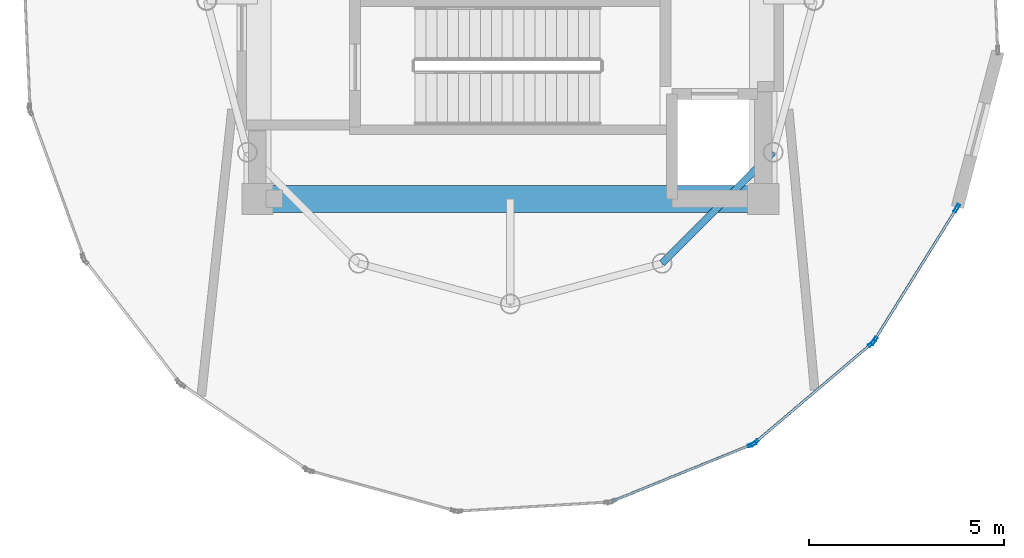
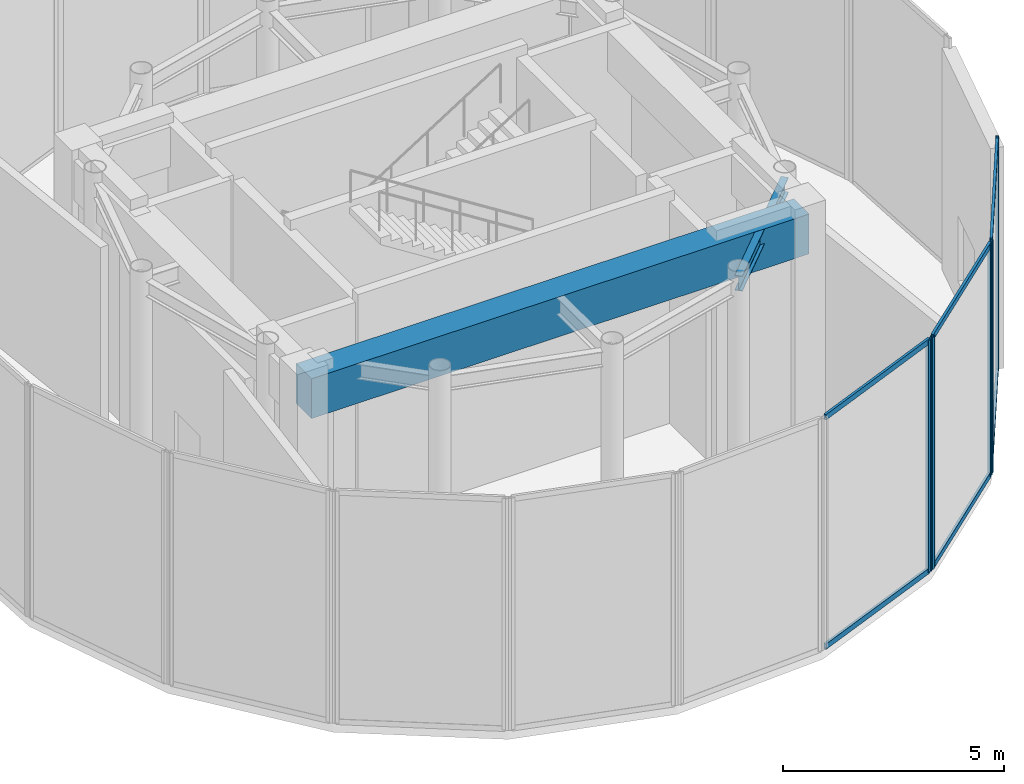
# One storey, part 4 of 10: 11 members, 2 beams, 3 elements without a shape of their own.
"""IFC4 building model written with IfcOpenShell, lengths in metres."""

import ifcopenshell
import ifcopenshell.guid

model = None  # the IFC model being written
_history = None  # IfcOwnerHistory: only IFC2X3 demands one
_inside = {}  # id of a spatial element -> (the spatial element, [elements in it])
_under = {}  # id of a project, library or spatial element -> (it, [spatial elements below it])
_declared = {}  # id of a project -> (the project, [libraries it declares])
_typed = {}  # id of a type object -> (the type object, [elements of that type])
_made_of = {}  # id of a material, layer set ... -> (it, [elements and type objects made of it])


def new_model(schema):
    """Start an empty IFC model of exactly this schema.

    Asked for "IFC4X3", IfcOpenShell would pick the latest addendum, in which some entities
    have other attributes; the version numbers below select the first issue.
    IFC2X3 requires an IfcOwnerHistory on every rooted entity: one is made here for all.
    """
    global model, _history
    if schema == "IFC4X3":
        model = ifcopenshell.file(schema_version=(4, 3, 0, 0))
    else:
        model = ifcopenshell.file(schema=schema)
    _inside.clear()
    _under.clear()
    _declared.clear()
    _typed.clear()
    _made_of.clear()
    _history = None
    if model.schema == "IFC2X3":
        org = make("IfcOrganization", Name="unknown")
        user = make(
            "IfcPersonAndOrganization",
            ThePerson=make("IfcPerson", FamilyName="unknown"),
            TheOrganization=org,
        )
        app = make(
            "IfcApplication",
            ApplicationDeveloper=org,
            Version="unknown",
            ApplicationFullName="unknown",
            ApplicationIdentifier="unknown",
        )
        _history = make(
            "IfcOwnerHistory",
            OwningUser=user,
            OwningApplication=app,
            ChangeAction="ADDED",
            CreationDate=0,
        )
    return model


def make(cls, **values):
    """One entity of the class cls with the attributes given. An attribute that is None is left unset."""
    return model.create_entity(
        cls, **{name: value for name, value in values.items() if value is not None}
    )


def rooted(cls, **values):
    """An entity with a GlobalId (a new one), such as an element, a storey or a relation."""
    return make(cls, GlobalId=ifcopenshell.guid.new(), OwnerHistory=_history, **values)


def si_unit(unit_type, name, prefix=None):
    """IfcSIUnit, for example si_unit("LENGTHUNIT", "METRE", prefix="MILLI")."""
    return make("IfcSIUnit", UnitType=unit_type, Prefix=prefix, Name=name)


def assignment(units):
    """IfcUnitAssignment: the units of a project."""
    return None if units is None else make("IfcUnitAssignment", Units=units)


def point(xyz):
    """IfcCartesianPoint."""
    return None if xyz is None else make("IfcCartesianPoint", Coordinates=xyz)


def direction(xyz):
    """IfcDirection."""
    return None if xyz is None else make("IfcDirection", DirectionRatios=xyz)


def frame(location, z_axis=None, x_axis=None):
    """IfcAxis2Placement3D, a coordinate frame: its origin and axes. An axis left out is left unset."""
    return make(
        "IfcAxis2Placement3D",
        Location=point(location),
        Axis=direction(z_axis),
        RefDirection=direction(x_axis),
    )


def frame_2d(location, x_axis=None):
    """IfcAxis2Placement2D, a coordinate frame in the plane: its origin and x axis."""
    return make(
        "IfcAxis2Placement2D", Location=point(location), RefDirection=direction(x_axis)
    )


def origin():
    """The frame at (0, 0, 0) with its axes left unset."""
    return frame((0.0, 0.0, 0.0))


def origin_2d():
    """The frame at (0, 0) in the plane with its x axis left unset."""
    return frame_2d((0.0, 0.0))


def place(relative_to, where):
    """IfcLocalPlacement: puts the frame where relative to a parent placement (None: the world)."""
    return make(
        "IfcLocalPlacement", PlacementRelTo=relative_to, RelativePlacement=where
    )


def context(
    kind, dimensions, precision=None, world=None, true_north=None, identifier=None
):
    """IfcGeometricRepresentationContext, for example the 3D "Model" context."""
    return make(
        "IfcGeometricRepresentationContext",
        ContextIdentifier=identifier,
        ContextType=kind,
        CoordinateSpaceDimension=dimensions,
        Precision=precision,
        WorldCoordinateSystem=world,
        TrueNorth=true_north,
    )


def subcontext(parent, identifier, kind, view, scale=None):
    """IfcGeometricRepresentationSubContext, for example "Body" below "Model"."""
    return make(
        "IfcGeometricRepresentationSubContext",
        ContextIdentifier=identifier,
        ContextType=kind,
        ParentContext=parent,
        TargetScale=scale,
        TargetView=view,
    )


def project(units=None, contexts=None):
    """IfcProject with its units and contexts."""
    return rooted(
        "IfcProject",
        Name="project",
        RepresentationContexts=contexts,
        UnitsInContext=assignment(units),
    )


def spatial(cls, under=None, at=None, **own):
    """A site, building, storey or space (cls), placed at a placement, below another one or the project."""
    s = rooted(cls, ObjectPlacement=at, **own)
    if under is not None:
        _under.setdefault(under.id(), (under, []))[1].append(s)
    return s


def profile(cls, at=None, kind="AREA", **sizes):
    """A parametric profile (cls). Its sizes go by their IFC names, for example OverallWidth=200.0."""
    return make(cls, ProfileType=kind, Position=at, **sizes)


def rectangle(**sizes):
    """IfcRectangleProfileDef."""
    return profile("IfcRectangleProfileDef", **sizes)


def hollow_rectangle(**sizes):
    """IfcRectangleHollowProfileDef."""
    return profile("IfcRectangleHollowProfileDef", **sizes)


def i_section(**sizes):
    """IfcIShapeProfileDef."""
    return profile("IfcIShapeProfileDef", **sizes)


def extrude(swept, where, along, depth):
    """IfcExtrudedAreaSolid: the profile swept, set in the frame where, extruded along a direction by depth."""
    return make(
        "IfcExtrudedAreaSolid",
        SweptArea=swept,
        Position=where,
        ExtrudedDirection=direction(along),
        Depth=depth,
    )


def shape(context_of_items, identifier, shape_type, items):
    """IfcShapeRepresentation: the items that make up one representation, for example the "Body"."""
    return make(
        "IfcShapeRepresentation",
        ContextOfItems=context_of_items,
        RepresentationIdentifier=identifier,
        RepresentationType=shape_type,
        Items=items,
    )


def source(mapping_origin, context_of_items, identifier, shape_type, items):
    """IfcRepresentationMap: a shape defined once, which mapped items show again and again."""
    return make(
        "IfcRepresentationMap",
        MappingOrigin=mapping_origin,
        MappedRepresentation=shape(context_of_items, identifier, shape_type, items),
    )


def transform(
    local_origin,
    x_axis=None,
    y_axis=None,
    z_axis=None,
    scale=None,
    scale2=None,
    scale3=None,
    uniform=True,
):
    """IfcCartesianTransformationOperator3D, or its non-uniform kind. x_axis, y_axis, z_axis: its Axis1, 2, 3."""
    if uniform:
        return make(
            "IfcCartesianTransformationOperator3D",
            Axis1=direction(x_axis),
            Axis2=direction(y_axis),
            LocalOrigin=point(local_origin),
            Scale=scale,
            Axis3=direction(z_axis),
        )
    return make(
        "IfcCartesianTransformationOperator3DnonUniform",
        Axis1=direction(x_axis),
        Axis2=direction(y_axis),
        LocalOrigin=point(local_origin),
        Scale=scale,
        Axis3=direction(z_axis),
        Scale2=scale2,
        Scale3=scale3,
    )


def mapped(mapping_source, mapping_target):
    """IfcMappedItem: shows the shape of a source again, moved by a transform."""
    return make(
        "IfcMappedItem", MappingSource=mapping_source, MappingTarget=mapping_target
    )


def material(Name=None, Category=None):
    """IfcMaterial."""
    return make("IfcMaterial", Name=Name, Category=Category)


def layer(
    of_material, thickness, ventilated=None, Name=None, Category=None, Priority=None
):
    """IfcMaterialLayer: one layer of a wall or slab, of a material (None: an air gap)."""
    return make(
        "IfcMaterialLayer",
        Material=of_material,
        LayerThickness=thickness,
        IsVentilated=ventilated,
        Name=Name,
        Category=Category,
        Priority=Priority,
    )


def layer_set(layers, Name=None):
    """IfcMaterialLayerSet."""
    return make("IfcMaterialLayerSet", MaterialLayers=layers, LayerSetName=Name)


def material_profile(
    of_material, cross_section, Name=None, Category=None, Priority=None
):
    """IfcMaterialProfile: a cross section and its material."""
    return make(
        "IfcMaterialProfile",
        Name=Name,
        Material=of_material,
        Profile=cross_section,
        Priority=Priority,
        Category=Category,
    )


def profile_set(profiles, Name=None, composite=None):
    """IfcMaterialProfileSet."""
    return make(
        "IfcMaterialProfileSet",
        Name=Name,
        MaterialProfiles=profiles,
        CompositeProfile=composite,
    )


def made_of(thing, what):
    """Note that an element or type object is made of a material, layer set ...; save() writes the relation."""
    if what is not None:
        _made_of.setdefault(what.id(), (what, []))[1].append(thing)
    return thing


def type_object(cls, material=None, **own):
    """A type object (cls), such as IfcWallType, which elements share."""
    return made_of(rooted(cls, **own), material)


def element(
    cls,
    number,
    at=None,
    inside=None,
    cuts=None,
    type_object=None,
    material=None,
    context=None,
    identifier="Body",
    shape_type=None,
    held_by="IfcProductDefinitionShape",
    body=None,
    shapes=None,
    **own,
):
    """One element of the class cls, such as IfcWall. Its Tag is "e" and its number.

    at: its placement. inside: the storey or other place that contains it. cuts: it is an
    opening in that element (IfcRelVoidsElement). A single representation is given by context,
    identifier, shape_type and body (its items); several are given by shapes. held_by: the class
    of the entity that holds the representations. save() writes the other relations.
    """
    e = rooted(cls, Tag="e%d" % number, ObjectPlacement=at, **own)
    if body is not None:
        shapes = [shape(context, identifier, shape_type, body)]
    if shapes is not None:
        e.Representation = make(held_by, Representations=shapes)
    if inside is not None:
        _inside.setdefault(inside.id(), (inside, []))[1].append(e)
    if cuts is not None:
        rooted(
            "IfcRelVoidsElement", RelatingBuildingElement=cuts, RelatedOpeningElement=e
        )
    if type_object is not None:
        _typed.setdefault(type_object.id(), (type_object, []))[1].append(e)
    return made_of(e, material)


def aggregate(whole, parts):
    """IfcRelAggregates: a whole, such as a stair, and the parts it consists of."""
    return rooted("IfcRelAggregates", RelatingObject=whole, RelatedObjects=parts)


def save(model, path):
    """Write the relations noted so far, then the file.

    IfcRelAggregates (storeys below a building ...), IfcRelContainedInSpatialStructure (elements
    in a storey), IfcRelDefinesByType, IfcRelAssociatesMaterial and IfcRelDeclares: one each for
    every whole, place, type object, material and project.
    """
    for whole, parts in _under.values():
        aggregate(whole, parts)
    for where, things in _inside.values():
        rooted(
            "IfcRelContainedInSpatialStructure",
            RelatedElements=things,
            RelatingStructure=where,
        )
    for kind, things in _typed.values():
        rooted("IfcRelDefinesByType", RelatedObjects=things, RelatingType=kind)
    for what, things in _made_of.values():
        rooted("IfcRelAssociatesMaterial", RelatedObjects=things, RelatingMaterial=what)
    for by, libraries in _declared.values():
        rooted("IfcRelDeclares", RelatingContext=by, RelatedDefinitions=libraries)
    model.write(path)


model = new_model("IFC4")

# Units and contexts
model_context = context("Model", 3, precision=1e-05, world=origin(), true_north=direction((0.0, 1.0)))
body_context = subcontext(model_context, "Body", "Model", "MODEL_VIEW")
ifc_project = project(units=[si_unit("LENGTHUNIT", "METRE"), si_unit("AREAUNIT", "SQUARE_METRE"), si_unit("VOLUMEUNIT", "CUBIC_METRE"), si_unit("PLANEANGLEUNIT", "RADIAN"), si_unit("MASSUNIT", "GRAM", prefix="KILO")], contexts=[model_context])

# Site, building, storey
site_placement = place(None, origin())
site = spatial("IfcSite", under=ifc_project, at=site_placement, CompositionType="ELEMENT")
building_placement = place(site_placement, origin())
building = spatial("IfcBuilding", under=site, at=building_placement, Name="Solvirekh Grand Hotel", CompositionType="ELEMENT")
storey_placement = place(building_placement, frame((0.0, 0.0, 308.199951171875)))
storey = spatial("IfcBuildingStorey", under=building, at=storey_placement, Name="L79", CompositionType="ELEMENT", Elevation=308.199951171875)

# Beams
ifc_material_1 = material(Name="Concrete C60/75", Category="concrete")
ifc_material_profile_1 = material_profile(ifc_material_1, rectangle(XDim=0.699951171875, YDim=1.10009765625, at=origin_2d()), Name="RC BEAM 700X1100")
ifc_profile_set_1 = profile_set([ifc_material_profile_1], Name="Concrete C60/75")
beam_type_1 = type_object("IfcBeamType", Name="Beam_Core_RC1100", PredefinedType="BEAM", material=ifc_profile_set_1)
beam_1_placement = place(storey_placement, frame((-6.5, -5.10009765625, 5.570068359375), z_axis=(1.0, 0.0, 0.0), x_axis=(0.0, 1.0, 0.0)))
element("IfcBeam", 1, at=beam_1_placement, inside=storey, type_object=beam_type_1, Name="L79 core coupling ring beam 1", PredefinedType="BEAM", context=body_context, shape_type="SweptSolid", body=[
    extrude(rectangle(XDim=0.699951171875, YDim=1.10009765625, at=origin_2d()), origin(), (0.0, 0.0, 1.0), 13.0),
])
ifc_material_2 = material(Name="Steel S355", Category="steel")
ifc_material_profile_2 = material_profile(ifc_material_2, i_section(OverallWidth=0.180908203125, OverallDepth=0.4169921875, WebThickness=0.010009765625, FlangeThickness=0.01611328125, FilletRadius=0.011962890625, at=origin_2d()), Name="W410X85")
ifc_profile_set_2 = profile_set([ifc_material_profile_2], Name="Steel S355")
beam_type_2 = type_object("IfcBeamType", Name="Spandrel_Ring_W410", PredefinedType="SPANDREL", material=ifc_profile_set_2)
beam_2_placement = place(storey_placement, frame((3.89990234375, -6.7548828125, 5.9111328125), z_axis=(0.707106781187, 0.707106781187, 0.0), x_axis=(-0.707106781187, 0.707106781187, 0.0)))
element("IfcBeam", 2, at=beam_2_placement, inside=storey, type_object=beam_type_2, Name="L79 perimeter spandrel beam 11", PredefinedType="SPANDREL", context=body_context, shape_type="SweptSolid", body=[
    extrude(i_section(OverallWidth=0.180908203125, OverallDepth=0.4169921875, WebThickness=0.010009765625, FlangeThickness=0.01611328125, FilletRadius=0.011962890625, at=origin_2d()), origin(), (0.0, 0.0, 1.0), 4.03759765625),
])

# Curtain wall, member
ifc_material_3 = material(Name="Anodized Bronze Aluminium 6063-T6", Category="aluminium")
ifc_layer = layer(ifc_material_3, 0.219970703125)
ifc_layer_set = layer_set([ifc_layer], Name="Anodized Bronze Aluminium 6063-T6")
curtain_wall_type = type_object("IfcCurtainWallType", Name="CW_Sys6_CrownFacetedPointCW", PredefinedType="NOTDEFINED", material=ifc_layer_set)
curtain_wall_1_placement = place(storey_placement, origin())
curtain_wall_1 = element("IfcCurtainWall", 3, at=curtain_wall_1_placement, inside=storey, type_object=curtain_wall_type, Name="L79 unitised bronze-glass curtain wall CW-L79-C02", PredefinedType="NOTDEFINED")
ifc_material_profile_3 = material_profile(ifc_material_3, hollow_rectangle(XDim=0.074951171875, YDim=0.219970703125, WallThickness=0.006103515625, at=origin_2d()), Name="ALU RHS 220X75X6")
ifc_profile_set_3 = profile_set([ifc_material_profile_3], Name="Anodized Bronze Aluminium 6063-T6")
member_type_1 = type_object("IfcMemberType", Name="CWMullion_Sys6", PredefinedType="MULLION", material=ifc_profile_set_3)
shared_shape_1 = source(origin(), body_context, "Body", "SweptSolid", [
    extrude(hollow_rectangle(XDim=0.074951171875, YDim=0.219970703125, WallThickness=0.006103515625, at=origin_2d()), origin(), (0.0, 0.0, 1.0), 6.400146484375),
])
member_1_placement = place(storey_placement, frame((6.21435546875, -11.4091796875, 0.0), z_axis=(0.0, 0.0, 1.0), x_axis=(-0.376019931651, 0.926611575042, 0.0)))
member_1 = element("IfcMember", 4, at=member_1_placement, type_object=member_type_1, Name="U06 mullion 2", PredefinedType="MULLION", context=body_context, shape_type="MappedRepresentation", body=[
    mapped(shared_shape_1, transform((0.0, 0.0, 0.0), x_axis=(1.0, 0.0, 0.0), y_axis=(0.0, 1.0, 0.0), z_axis=(0.0, 0.0, 1.0), scale=1.0)),
])

# Curtain wall, members
curtain_wall_2_placement = place(storey_placement, origin())
curtain_wall_2 = element("IfcCurtainWall", 5, at=curtain_wall_2_placement, inside=storey, type_object=curtain_wall_type, Name="L79 unitised bronze-glass curtain wall CW-L79-C03", PredefinedType="NOTDEFINED")
member_2_placement = place(storey_placement, frame((6.277587890625, -11.370849609375, 0.0), z_axis=(0.0, 0.0, 1.0), x_axis=(-0.647173794498, 0.762342495022, 0.0)))
member_2 = element("IfcMember", 6, at=member_2_placement, type_object=member_type_1, Name="U06 mullion 1", PredefinedType="MULLION", context=body_context, shape_type="MappedRepresentation", body=[
    mapped(shared_shape_1, transform((0.0, 0.0, 0.0), x_axis=(1.0, 0.0, 0.0), y_axis=(0.0, 1.0, 0.0), z_axis=(0.0, 0.0, 1.0), scale=1.0)),
])
member_3_placement = place(storey_placement, frame((9.29833984375, -8.80615234375, 0.0), z_axis=(0.0, 0.0, 1.0), x_axis=(-0.647173794498, 0.762342495022, 0.0)))
member_3 = element("IfcMember", 7, at=member_3_placement, type_object=member_type_1, Name="U06 mullion 2", PredefinedType="MULLION", context=body_context, shape_type="MappedRepresentation", body=[
    mapped(shared_shape_1, transform((0.0, 0.0, 0.0), x_axis=(1.0, 0.0, 0.0), y_axis=(0.0, 1.0, 0.0), z_axis=(0.0, 0.0, 1.0), scale=1.0)),
])

curtain_wall_3_placement = place(storey_placement, origin())
curtain_wall_3 = element("IfcCurtainWall", 8, at=curtain_wall_3_placement, inside=storey, type_object=curtain_wall_type, Name="L79 unitised bronze-glass curtain wall CW-L79-C04", PredefinedType="NOTDEFINED")
member_4_placement = place(storey_placement, frame((9.346923828125, -8.750244140625, 0.0), z_axis=(0.0, 0.0, 1.0), x_axis=(-0.848725147477, 0.528834212245, 0.0)))
member_4 = element("IfcMember", 9, at=member_4_placement, type_object=member_type_1, Name="U06 mullion 1", PredefinedType="MULLION", context=body_context, shape_type="MappedRepresentation", body=[
    mapped(shared_shape_1, transform((0.0, 0.0, 0.0), x_axis=(1.0, 0.0, 0.0), y_axis=(0.0, 1.0, 0.0), z_axis=(0.0, 0.0, 1.0), scale=1.0)),
])
member_5_placement = place(storey_placement, frame((11.47119140625, -5.3408203125, 0.0), z_axis=(0.0, 0.0, 1.0), x_axis=(-0.848725147477, 0.528834212245, 0.0)))
member_5 = element("IfcMember", 10, at=member_5_placement, type_object=member_type_1, Name="U06 mullion 2", PredefinedType="MULLION", context=body_context, shape_type="MappedRepresentation", body=[
    mapped(shared_shape_1, transform((0.0, 0.0, 0.0), x_axis=(1.0, 0.0, 0.0), y_axis=(0.0, 1.0, 0.0), z_axis=(0.0, 0.0, 1.0), scale=1.0)),
])

# Member
ifc_material_profile_4 = material_profile(ifc_material_3, hollow_rectangle(XDim=0.06494140625, YDim=0.14990234375, WallThickness=0.0048828125, at=origin_2d()), Name="ALU RHS 150X65X5")
ifc_profile_set_4 = profile_set([ifc_material_profile_4], Name="Anodized Bronze Aluminium 6063-T6")
member_type_2 = type_object("IfcMemberType", Name="CWTransom_Sys6", PredefinedType="USERDEFINED", material=ifc_profile_set_4)
shared_shape_2 = source(origin(), body_context, "Body", "SweptSolid", [
    extrude(hollow_rectangle(XDim=0.06494140625, YDim=0.14990234375, WallThickness=0.0048828125, at=origin_2d()), origin(), (0.0, 0.0, 1.0), 3.831298828125),
])
member_6_placement = place(storey_placement, frame((2.62939453125, -12.86376953125, 0.032470703125), z_axis=(0.926606085915, 0.376033458014, 0.0), x_axis=(-0.376033458014, 0.926606085915, 0.0)))
member_6 = element("IfcMember", 11, at=member_6_placement, type_object=member_type_2, Name="U06 transom 1.1", ObjectType="TRANSOM", PredefinedType="USERDEFINED", context=body_context, shape_type="MappedRepresentation", body=[
    mapped(shared_shape_2, transform((0.0, 0.0, 0.0), x_axis=(1.0, 0.0, 0.0), y_axis=(0.0, 1.0, 0.0), z_axis=(0.0, 0.0, 1.0), scale=1.0)),
])

member_7_placement = place(storey_placement, frame((2.62939453125, -12.86376953125, 6.367431640625), z_axis=(0.926606085915, 0.376033458014, 0.0), x_axis=(-0.376033458014, 0.926606085915, 0.0)))
member_7 = element("IfcMember", 12, at=member_7_placement, type_object=member_type_2, Name="U06 transom 1.2", ObjectType="TRANSOM", PredefinedType="USERDEFINED", context=body_context, shape_type="MappedRepresentation", body=[
    mapped(shared_shape_2, transform((0.0, 0.0, 0.0), x_axis=(1.0, 0.0, 0.0), y_axis=(0.0, 1.0, 0.0), z_axis=(0.0, 0.0, 1.0), scale=1.0)),
])

aggregate(curtain_wall_1, [member_1, member_6, member_7])

shared_shape_3 = source(origin(), body_context, "Body", "SweptSolid", [
    extrude(hollow_rectangle(XDim=0.06494140625, YDim=0.14990234375, WallThickness=0.0048828125, at=origin_2d()), origin(), (0.0, 0.0, 1.0), 3.887451171875),
])
member_8_placement = place(storey_placement, frame((6.30615234375, -11.346435546875, 0.032470703125), z_axis=(0.762346692669, 0.647168849819, 0.0), x_axis=(-0.647168849819, 0.762346692669, 0.0)))
member_8 = element("IfcMember", 13, at=member_8_placement, type_object=member_type_2, Name="U06 transom 1.1", ObjectType="TRANSOM", PredefinedType="USERDEFINED", context=body_context, shape_type="MappedRepresentation", body=[
    mapped(shared_shape_3, transform((0.0, 0.0, 0.0), x_axis=(1.0, 0.0, 0.0), y_axis=(0.0, 1.0, 0.0), z_axis=(0.0, 0.0, 1.0), scale=1.0)),
])

member_9_placement = place(storey_placement, frame((6.30615234375, -11.346435546875, 6.367431640625), z_axis=(0.762346692669, 0.647168849819, 0.0), x_axis=(-0.647168849819, 0.762346692669, 0.0)))
member_9 = element("IfcMember", 14, at=member_9_placement, type_object=member_type_2, Name="U06 transom 1.2", ObjectType="TRANSOM", PredefinedType="USERDEFINED", context=body_context, shape_type="MappedRepresentation", body=[
    mapped(shared_shape_3, transform((0.0, 0.0, 0.0), x_axis=(1.0, 0.0, 0.0), y_axis=(0.0, 1.0, 0.0), z_axis=(0.0, 0.0, 1.0), scale=1.0)),
])

aggregate(curtain_wall_2, [member_2, member_3, member_8, member_9])

shared_shape_4 = source(origin(), body_context, "Body", "SweptSolid", [
    extrude(hollow_rectangle(XDim=0.06494140625, YDim=0.14990234375, WallThickness=0.0048828125, at=origin_2d()), origin(), (0.0, 0.0, 1.0), 3.942138671875),
])
member_10_placement = place(storey_placement, frame((9.36669921875, -8.71826171875, 0.032470703125), z_axis=(0.528840519316, 0.848721217556, 0.0), x_axis=(-0.848721217556, 0.528840519316, 0.0)))
member_10 = element("IfcMember", 15, at=member_10_placement, type_object=member_type_2, Name="U06 transom 1.1", ObjectType="TRANSOM", PredefinedType="USERDEFINED", context=body_context, shape_type="MappedRepresentation", body=[
    mapped(shared_shape_4, transform((0.0, 0.0, 0.0), x_axis=(1.0, 0.0, 0.0), y_axis=(0.0, 1.0, 0.0), z_axis=(0.0, 0.0, 1.0), scale=1.0)),
])

member_11_placement = place(storey_placement, frame((9.36669921875, -8.71826171875, 6.367431640625), z_axis=(0.528840519316, 0.848721217556, 0.0), x_axis=(-0.848721217556, 0.528840519316, 0.0)))
member_11 = element("IfcMember", 16, at=member_11_placement, type_object=member_type_2, Name="U06 transom 1.2", ObjectType="TRANSOM", PredefinedType="USERDEFINED", context=body_context, shape_type="MappedRepresentation", body=[
    mapped(shared_shape_4, transform((0.0, 0.0, 0.0), x_axis=(1.0, 0.0, 0.0), y_axis=(0.0, 1.0, 0.0), z_axis=(0.0, 0.0, 1.0), scale=1.0)),
])

aggregate(curtain_wall_3, [member_4, member_5, member_10, member_11])

save(model, "model.ifc")
